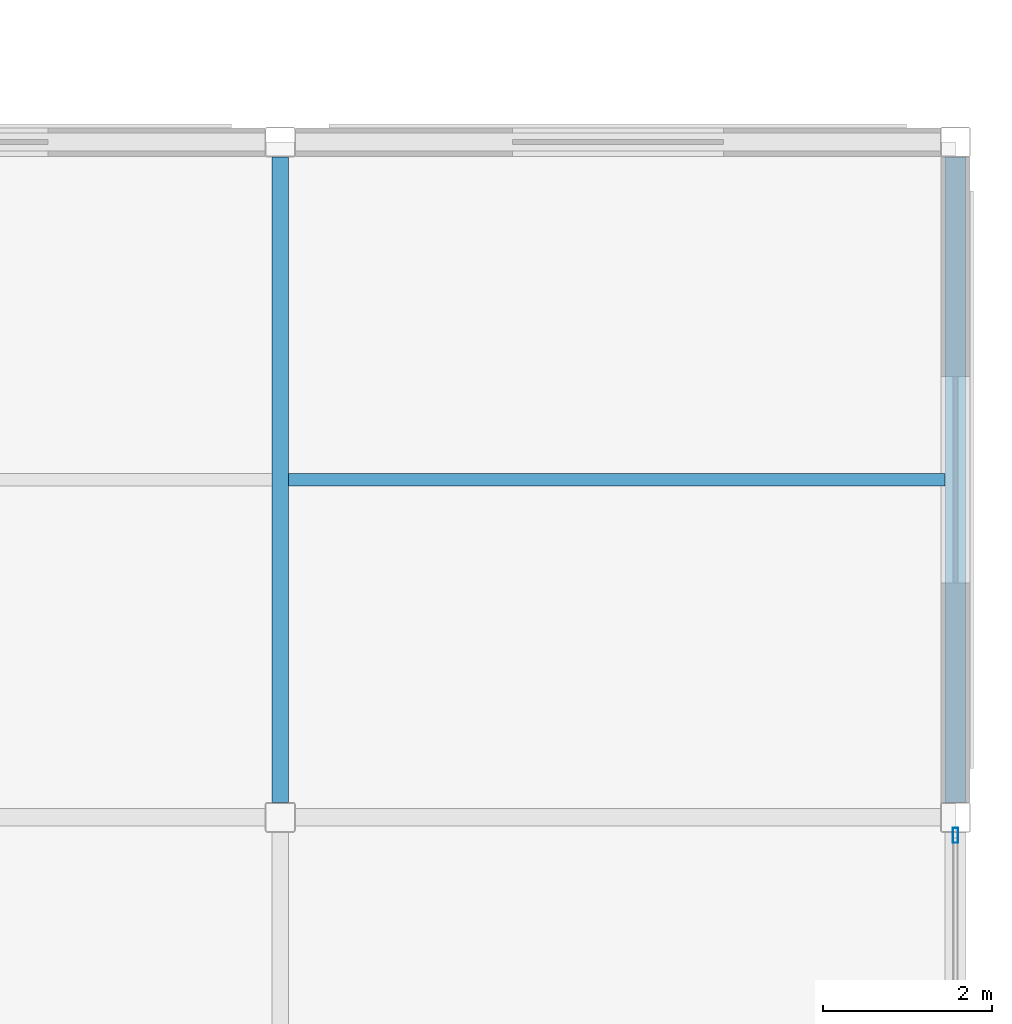
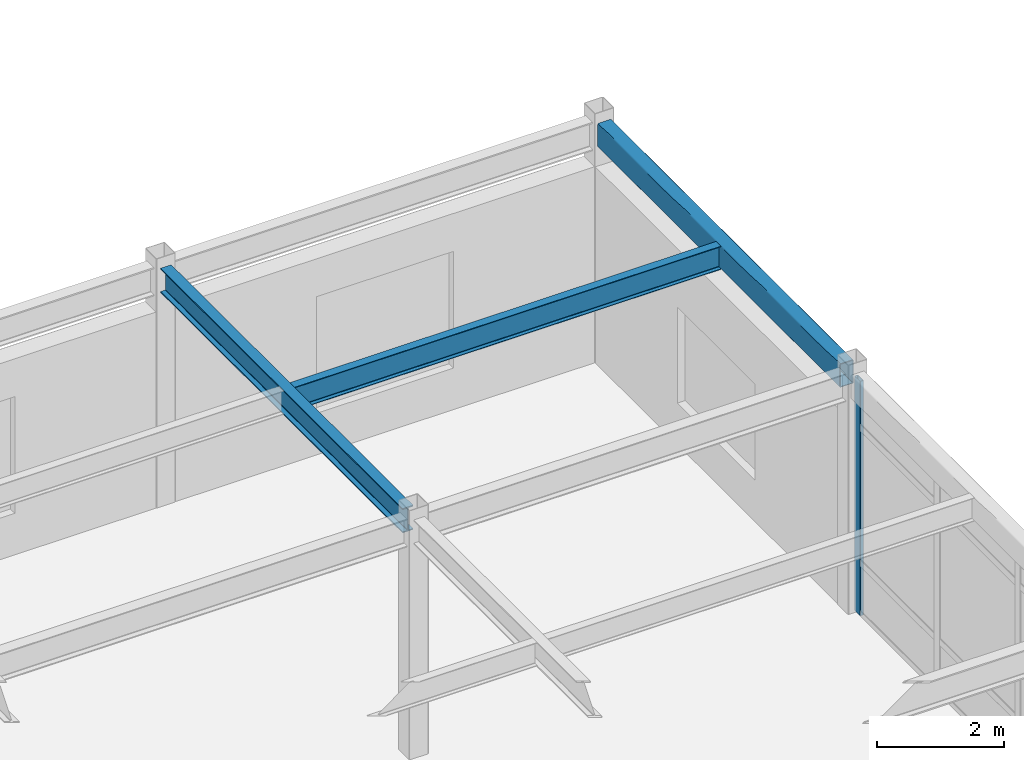
# One storey, part 71 of 117: 3 beams, 1 member, 1 element without a shape of its own.
"""IFC4 building model written with IfcOpenShell, lengths in metres."""

import ifcopenshell
import ifcopenshell.guid

model = None  # the IFC model being written
_history = None  # IfcOwnerHistory: only IFC2X3 demands one
_inside = {}  # id of a spatial element -> (the spatial element, [elements in it])
_under = {}  # id of a project, library or spatial element -> (it, [spatial elements below it])
_declared = {}  # id of a project -> (the project, [libraries it declares])
_typed = {}  # id of a type object -> (the type object, [elements of that type])
_made_of = {}  # id of a material, layer set ... -> (it, [elements and type objects made of it])


def new_model(schema):
    """Start an empty IFC model of exactly this schema.

    Asked for "IFC4X3", IfcOpenShell would pick the latest addendum, in which some entities
    have other attributes; the version numbers below select the first issue.
    IFC2X3 requires an IfcOwnerHistory on every rooted entity: one is made here for all.
    """
    global model, _history
    if schema == "IFC4X3":
        model = ifcopenshell.file(schema_version=(4, 3, 0, 0))
    else:
        model = ifcopenshell.file(schema=schema)
    _inside.clear()
    _under.clear()
    _declared.clear()
    _typed.clear()
    _made_of.clear()
    _history = None
    if model.schema == "IFC2X3":
        org = make("IfcOrganization", Name="unknown")
        user = make(
            "IfcPersonAndOrganization",
            ThePerson=make("IfcPerson", FamilyName="unknown"),
            TheOrganization=org,
        )
        app = make(
            "IfcApplication",
            ApplicationDeveloper=org,
            Version="unknown",
            ApplicationFullName="unknown",
            ApplicationIdentifier="unknown",
        )
        _history = make(
            "IfcOwnerHistory",
            OwningUser=user,
            OwningApplication=app,
            ChangeAction="ADDED",
            CreationDate=0,
        )
    return model


def make(cls, **values):
    """One entity of the class cls with the attributes given. An attribute that is None is left unset."""
    return model.create_entity(
        cls, **{name: value for name, value in values.items() if value is not None}
    )


def rooted(cls, **values):
    """An entity with a GlobalId (a new one), such as an element, a storey or a relation."""
    return make(cls, GlobalId=ifcopenshell.guid.new(), OwnerHistory=_history, **values)


def si_unit(unit_type, name, prefix=None):
    """IfcSIUnit, for example si_unit("LENGTHUNIT", "METRE", prefix="MILLI")."""
    return make("IfcSIUnit", UnitType=unit_type, Prefix=prefix, Name=name)


def assignment(units):
    """IfcUnitAssignment: the units of a project."""
    return None if units is None else make("IfcUnitAssignment", Units=units)


def point(xyz):
    """IfcCartesianPoint."""
    return None if xyz is None else make("IfcCartesianPoint", Coordinates=xyz)


def direction(xyz):
    """IfcDirection."""
    return None if xyz is None else make("IfcDirection", DirectionRatios=xyz)


def frame(location, z_axis=None, x_axis=None):
    """IfcAxis2Placement3D, a coordinate frame: its origin and axes. An axis left out is left unset."""
    return make(
        "IfcAxis2Placement3D",
        Location=point(location),
        Axis=direction(z_axis),
        RefDirection=direction(x_axis),
    )


def frame_2d(location, x_axis=None):
    """IfcAxis2Placement2D, a coordinate frame in the plane: its origin and x axis."""
    return make(
        "IfcAxis2Placement2D", Location=point(location), RefDirection=direction(x_axis)
    )


def origin():
    """The frame at (0, 0, 0) with its axes left unset."""
    return frame((0.0, 0.0, 0.0))


def origin_2d():
    """The frame at (0, 0) in the plane with its x axis left unset."""
    return frame_2d((0.0, 0.0))


def place(relative_to, where):
    """IfcLocalPlacement: puts the frame where relative to a parent placement (None: the world)."""
    return make(
        "IfcLocalPlacement", PlacementRelTo=relative_to, RelativePlacement=where
    )


def context(
    kind, dimensions, precision=None, world=None, true_north=None, identifier=None
):
    """IfcGeometricRepresentationContext, for example the 3D "Model" context."""
    return make(
        "IfcGeometricRepresentationContext",
        ContextIdentifier=identifier,
        ContextType=kind,
        CoordinateSpaceDimension=dimensions,
        Precision=precision,
        WorldCoordinateSystem=world,
        TrueNorth=true_north,
    )


def subcontext(parent, identifier, kind, view, scale=None):
    """IfcGeometricRepresentationSubContext, for example "Body" below "Model"."""
    return make(
        "IfcGeometricRepresentationSubContext",
        ContextIdentifier=identifier,
        ContextType=kind,
        ParentContext=parent,
        TargetScale=scale,
        TargetView=view,
    )


def project(units=None, contexts=None):
    """IfcProject with its units and contexts."""
    return rooted(
        "IfcProject",
        Name="project",
        RepresentationContexts=contexts,
        UnitsInContext=assignment(units),
    )


def spatial(cls, under=None, at=None, **own):
    """A site, building, storey or space (cls), placed at a placement, below another one or the project."""
    s = rooted(cls, ObjectPlacement=at, **own)
    if under is not None:
        _under.setdefault(under.id(), (under, []))[1].append(s)
    return s


def profile(cls, at=None, kind="AREA", **sizes):
    """A parametric profile (cls). Its sizes go by their IFC names, for example OverallWidth=200.0."""
    return make(cls, ProfileType=kind, Position=at, **sizes)


def hollow_rectangle(**sizes):
    """IfcRectangleHollowProfileDef."""
    return profile("IfcRectangleHollowProfileDef", **sizes)


def i_section(**sizes):
    """IfcIShapeProfileDef."""
    return profile("IfcIShapeProfileDef", **sizes)


def extrude(swept, where, along, depth):
    """IfcExtrudedAreaSolid: the profile swept, set in the frame where, extruded along a direction by depth."""
    return make(
        "IfcExtrudedAreaSolid",
        SweptArea=swept,
        Position=where,
        ExtrudedDirection=direction(along),
        Depth=depth,
    )


def shape(context_of_items, identifier, shape_type, items):
    """IfcShapeRepresentation: the items that make up one representation, for example the "Body"."""
    return make(
        "IfcShapeRepresentation",
        ContextOfItems=context_of_items,
        RepresentationIdentifier=identifier,
        RepresentationType=shape_type,
        Items=items,
    )


def material(Name=None, Category=None):
    """IfcMaterial."""
    return make("IfcMaterial", Name=Name, Category=Category)


def material_profile(
    of_material, cross_section, Name=None, Category=None, Priority=None
):
    """IfcMaterialProfile: a cross section and its material."""
    return make(
        "IfcMaterialProfile",
        Name=Name,
        Material=of_material,
        Profile=cross_section,
        Priority=Priority,
        Category=Category,
    )


def profile_set(profiles, Name=None, composite=None):
    """IfcMaterialProfileSet."""
    return make(
        "IfcMaterialProfileSet",
        Name=Name,
        MaterialProfiles=profiles,
        CompositeProfile=composite,
    )


def made_of(thing, what):
    """Note that an element or type object is made of a material, layer set ...; save() writes the relation."""
    if what is not None:
        _made_of.setdefault(what.id(), (what, []))[1].append(thing)
    return thing


def type_object(cls, material=None, **own):
    """A type object (cls), such as IfcWallType, which elements share."""
    return made_of(rooted(cls, **own), material)


def element(
    cls,
    number,
    at=None,
    inside=None,
    cuts=None,
    type_object=None,
    material=None,
    context=None,
    identifier="Body",
    shape_type=None,
    held_by="IfcProductDefinitionShape",
    body=None,
    shapes=None,
    **own,
):
    """One element of the class cls, such as IfcWall. Its Tag is "e" and its number.

    at: its placement. inside: the storey or other place that contains it. cuts: it is an
    opening in that element (IfcRelVoidsElement). A single representation is given by context,
    identifier, shape_type and body (its items); several are given by shapes. held_by: the class
    of the entity that holds the representations. save() writes the other relations.
    """
    e = rooted(cls, Tag="e%d" % number, ObjectPlacement=at, **own)
    if body is not None:
        shapes = [shape(context, identifier, shape_type, body)]
    if shapes is not None:
        e.Representation = make(held_by, Representations=shapes)
    if inside is not None:
        _inside.setdefault(inside.id(), (inside, []))[1].append(e)
    if cuts is not None:
        rooted(
            "IfcRelVoidsElement", RelatingBuildingElement=cuts, RelatedOpeningElement=e
        )
    if type_object is not None:
        _typed.setdefault(type_object.id(), (type_object, []))[1].append(e)
    return made_of(e, material)


def aggregate(whole, parts):
    """IfcRelAggregates: a whole, such as a stair, and the parts it consists of."""
    return rooted("IfcRelAggregates", RelatingObject=whole, RelatedObjects=parts)


def save(model, path):
    """Write the relations noted so far, then the file.

    IfcRelAggregates (storeys below a building ...), IfcRelContainedInSpatialStructure (elements
    in a storey), IfcRelDefinesByType, IfcRelAssociatesMaterial and IfcRelDeclares: one each for
    every whole, place, type object, material and project.
    """
    for whole, parts in _under.values():
        aggregate(whole, parts)
    for where, things in _inside.values():
        rooted(
            "IfcRelContainedInSpatialStructure",
            RelatedElements=things,
            RelatingStructure=where,
        )
    for kind, things in _typed.values():
        rooted("IfcRelDefinesByType", RelatedObjects=things, RelatingType=kind)
    for what, things in _made_of.values():
        rooted("IfcRelAssociatesMaterial", RelatedObjects=things, RelatingMaterial=what)
    for by, libraries in _declared.values():
        rooted("IfcRelDeclares", RelatingContext=by, RelatedDefinitions=libraries)
    model.write(path)


model = new_model("IFC4")

# Units and contexts
model_context = context("Model", 3, precision=1e-05, world=origin(), true_north=direction((0.0, 1.0)))
body_context = subcontext(model_context, "Body", "Model", "MODEL_VIEW")
ifc_project = project(units=[si_unit("LENGTHUNIT", "METRE"), si_unit("AREAUNIT", "SQUARE_METRE"), si_unit("VOLUMEUNIT", "CUBIC_METRE"), si_unit("PLANEANGLEUNIT", "RADIAN"), si_unit("MASSUNIT", "GRAM", prefix="KILO")], contexts=[model_context])

# Site, building, storey
site_placement = place(None, origin())
site = spatial("IfcSite", under=ifc_project, at=site_placement, CompositionType="ELEMENT")
building_placement = place(site_placement, origin())
building = spatial("IfcBuilding", under=site, at=building_placement, Name="Solmirada Galleria", CompositionType="ELEMENT")
storey_placement = place(building_placement, frame((0.0, 0.0, 5.60009765625)))
storey = spatial("IfcBuildingStorey", under=building, at=storey_placement, Name="L01", CompositionType="ELEMENT", Elevation=5.60009765625)

# Beams
ifc_material_1 = material(Name="Steel S355 / ASTM A992 Grade 50", Category="steel")
ifc_material_profile_1 = material_profile(ifc_material_1, i_section(OverallWidth=0.194091796875, OverallDepth=0.468994140625, WebThickness=0.0126953125, FlangeThickness=0.0205078125, FilletRadius=0.013916015625, at=origin_2d()), Name="W18X71")
ifc_profile_set_1 = profile_set([ifc_material_profile_1], Name="Steel S355 / ASTM A992 Grade 50")
beam_type_1 = type_object("IfcBeamType", Name="BM-GIRD-W18B", PredefinedType="BEAM", material=ifc_profile_set_1)
beam_1_placement = place(storey_placement, frame((168.0, 24.177978515625, 4.365478515625), z_axis=(0.0, 1.0, 0.0), x_axis=(-1.0, 0.0, 0.0)))
element("IfcBeam", 1, at=beam_1_placement, inside=storey, type_object=beam_type_1, Name="Primary girder L02 Y(168, 24..32)", PredefinedType="BEAM", context=body_context, shape_type="SweptSolid", body=[
    extrude(i_section(OverallWidth=0.194091796875, OverallDepth=0.468994140625, WebThickness=0.0126953125, FlangeThickness=0.0205078125, FilletRadius=0.013916015625, at=origin_2d()), origin(), (0.0, 0.0, 1.0), 7.64404296875),
])
ifc_material_profile_2 = material_profile(ifc_material_1, i_section(OverallWidth=0.152099609375, OverallDepth=0.449951171875, WebThickness=0.007568359375, FlangeThickness=0.0107421875, FilletRadius=0.011962890625, at=origin_2d()), Name="W18X35")
ifc_profile_set_2 = profile_set([ifc_material_profile_2], Name="Steel S355 / ASTM A992 Grade 50")
beam_type_2 = type_object("IfcBeamType", Name="BM-JST-W18B", PredefinedType="JOIST", material=ifc_profile_set_2)
beam_2_placement = place(storey_placement, frame((168.096923828125, 28.0, 4.375), z_axis=(1.0, 0.0, 0.0), x_axis=(0.0, 1.0, 0.0)))
element("IfcBeam", 2, at=beam_2_placement, inside=storey, type_object=beam_type_2, Name="Composite floor joist L02 (168..176, 28.0)", PredefinedType="JOIST", context=body_context, shape_type="SweptSolid", body=[
    extrude(i_section(OverallWidth=0.152099609375, OverallDepth=0.449951171875, WebThickness=0.007568359375, FlangeThickness=0.0107421875, FilletRadius=0.011962890625, at=origin_2d()), origin(), (0.0, 0.0, 1.0), 7.776123046875),
])
ifc_material_2 = material(Name="Steel S355 / ASTM A500 Grade C", Category="steel")
ifc_material_profile_3 = material_profile(ifc_material_2, hollow_rectangle(XDim=0.25390625, YDim=0.45703125, WallThickness=0.01171875, InnerFilletRadius=0.01171875, OuterFilletRadius=0.023681640625, at=origin_2d()), Name="HSS18X10X1/2")
ifc_profile_set_3 = profile_set([ifc_material_profile_3], Name="Steel S355 / ASTM A500 Grade C")
beam_type_3 = type_object("IfcBeamType", Name="BM-SPAND-W18", PredefinedType="SPANDREL", material=ifc_profile_set_3)
beam_3_placement = place(storey_placement, frame((176.0, 24.177978515625, 4.371337890625), z_axis=(0.0, 1.0, 0.0), x_axis=(-1.0, 0.0, 0.0)))
element("IfcBeam", 3, at=beam_3_placement, inside=storey, type_object=beam_type_3, Name="Primary girder L02 Y(176, 24..32)", PredefinedType="SPANDREL", context=body_context, shape_type="SweptSolid", body=[
    extrude(hollow_rectangle(XDim=0.25390625, YDim=0.45703125, WallThickness=0.01171875, InnerFilletRadius=0.01171875, OuterFilletRadius=0.023681640625, at=origin_2d()), origin(), (0.0, 0.0, 1.0), 7.64404296875),
])

# Curtain wall, member
ifc_material_3 = material(Name="Impact-resistant low-E double glazing", Category="glass")
curtain_wall_type = type_object("IfcCurtainWallType", Name="CW-FZ5-L01-B3-L076", PredefinedType="NOTDEFINED", material=ifc_material_3)
curtain_wall_placement = place(storey_placement, origin())
curtain_wall = element("IfcCurtainWall", 4, at=curtain_wall_placement, inside=storey, type_object=curtain_wall_type, Name="Terrace and arcade storefront CW-L01-078", PredefinedType="NOTDEFINED")
ifc_material_4 = material(Name="Anodised aluminium framing", Category="aluminium")
ifc_material_profile_4 = material_profile(ifc_material_4, hollow_rectangle(XDim=0.06494140625, YDim=0.179931640625, WallThickness=0.00390625, InnerFilletRadius=0.00390625, OuterFilletRadius=0.008056640625, at=origin_2d()), Name="ALU-MULL-180X65")
ifc_profile_set_4 = profile_set([ifc_material_profile_4], Name="Anodised aluminium framing")
member_type = type_object("IfcMemberType", Name="CW-MULL-180", PredefinedType="MULLION", material=ifc_profile_set_4)
member_placement = place(storey_placement, frame((176.0, 23.78759765625, 0.0), z_axis=(0.0, 0.0, 1.0), x_axis=(1.0, 0.0, 0.0)))
member = element("IfcMember", 5, at=member_placement, type_object=member_type, Name="CW18 mullion 1", PredefinedType="MULLION", context=body_context, shape_type="SweptSolid", body=[
    extrude(hollow_rectangle(XDim=0.06494140625, YDim=0.179931640625, WallThickness=0.00390625, InnerFilletRadius=0.00390625, OuterFilletRadius=0.008056640625, at=origin_2d()), origin(), (0.0, 0.0, 1.0), 4.52001953125),
])
aggregate(curtain_wall, [member])

save(model, "model.ifc")
